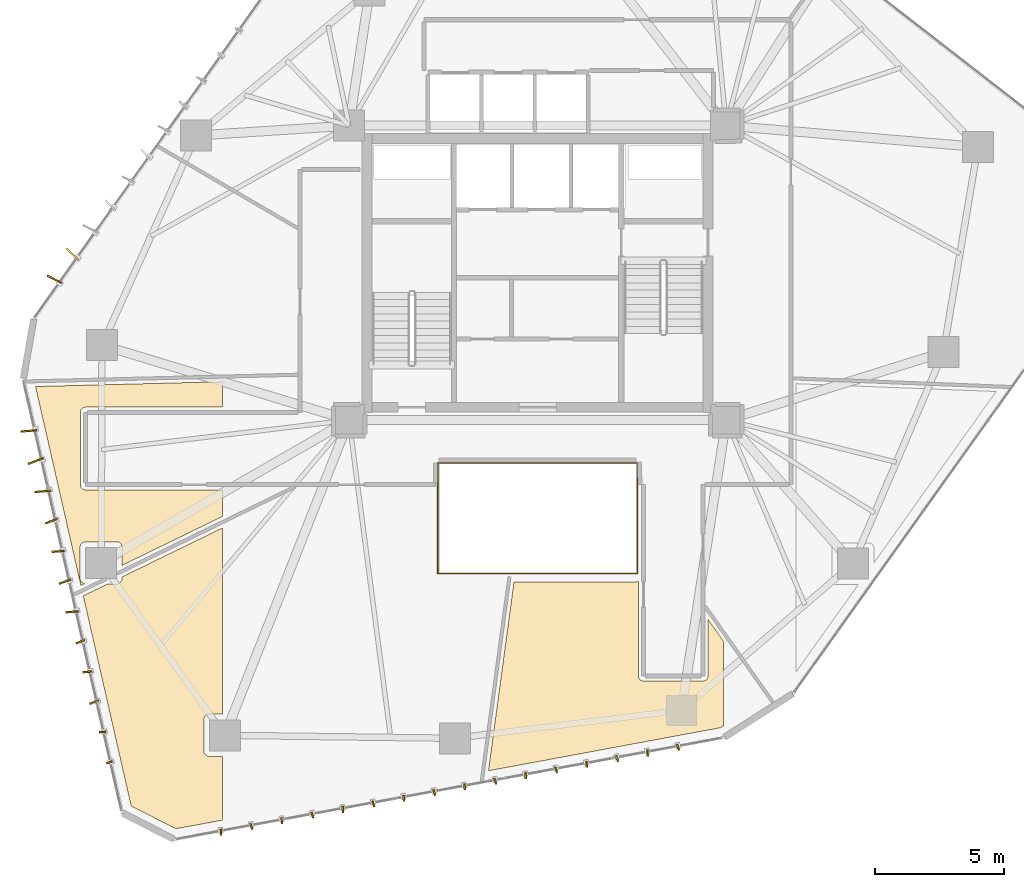
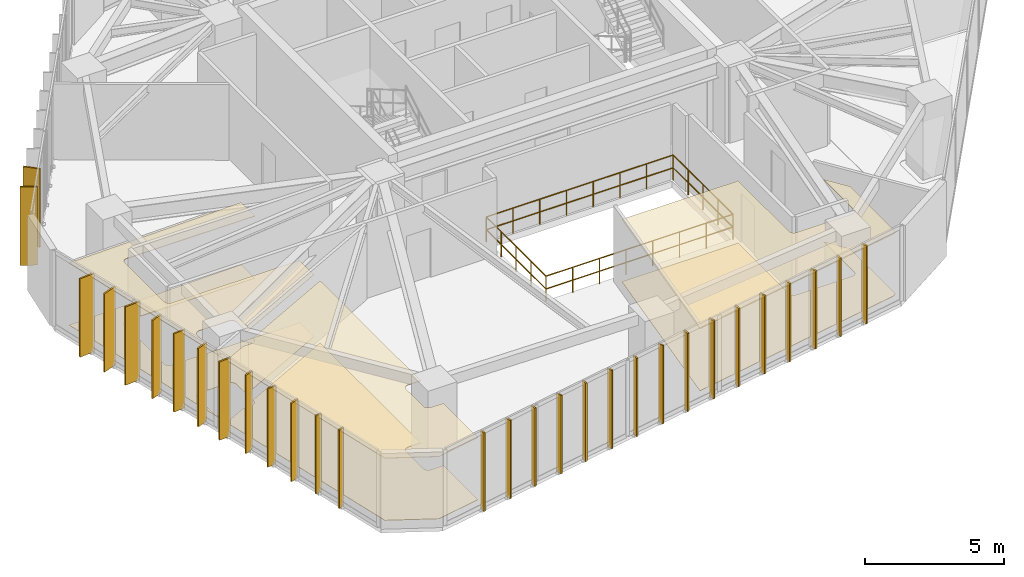
# One storey, part 20 of 22: 30 shading devices, 6 coverings, 4 railings.
"""IFC4 building model written with IfcOpenShell, lengths in metres."""

from ifc_helpers import new_model, si_unit, direction, frame, origin, origin_2d, place, context, subcontext, project, spatial, polyline, rectangle, circle, outline, extrude, source, transform, mapped, material, layer, layer_set, type_object, type_shapes, element, save


model = new_model("IFC4")

# Units and contexts
model_context = context("Model", 3, precision=1e-05, world=origin(), true_north=direction((0.0, 1.0)))
body_context = subcontext(model_context, "Body", "Model", "MODEL_VIEW")
ifc_project = project(units=[si_unit("LENGTHUNIT", "METRE"), si_unit("AREAUNIT", "SQUARE_METRE"), si_unit("VOLUMEUNIT", "CUBIC_METRE"), si_unit("PLANEANGLEUNIT", "RADIAN"), si_unit("MASSUNIT", "GRAM", prefix="KILO")], contexts=[model_context])

# Site, building, storey
site_placement = place(None, origin())
site = spatial("IfcSite", under=ifc_project, at=site_placement, CompositionType="ELEMENT")
building_placement = place(site_placement, origin())
building = spatial("IfcBuilding", under=site, at=building_placement, Name="Talar Marvaseh", CompositionType="ELEMENT")
storey_placement = place(building_placement, frame((0.0, 0.0, 121.800048828125)))
storey = spatial("IfcBuildingStorey", under=building, at=storey_placement, Name="L31", CompositionType="ELEMENT", Elevation=121.800048828125)

# Railings
ifc_material_1 = material(Name="Tempered Clear Glass", Category="glass")
railing_type = type_object("IfcRailingType", Name="Interior Atrium Edge Balustrade 1120", PredefinedType="BALUSTRADE", material=ifc_material_1)
railing_1_placement = place(storey_placement, frame((22.1298828125, 19.561279296875, 0.0)))
element("IfcRailing", 1, at=railing_1_placement, inside=storey, type_object=railing_type, Name="L31 Internal Daylight Atrium Balustrade 1", PredefinedType="BALUSTRADE", context=body_context, shape_type="SweptSolid", body=[
    extrude(circle(Radius=0.02392578125, at=origin_2d()), frame((0.0, 0.0, 1.09619140625), z_axis=(1.0, 0.0, 0.0), x_axis=(0.0, 1.0, 0.0)), (0.0, 0.0, 1.0), 7.740234375),
    extrude(circle(Radius=0.02392578125, at=origin_2d()), frame((0.0, 0.0, 0.5361328125), z_axis=(1.0, 0.0, 0.0), x_axis=(0.0, 1.0, 0.0)), (0.0, 0.0, 1.0), 7.740234375),
    extrude(circle(Radius=0.02099609375, at=origin_2d()), origin(), (0.0, 0.0, 1.0), 1.072021484375),
    extrude(circle(Radius=0.02099609375, at=origin_2d()), frame((1.105712890625, 0.0, 0.0)), (0.0, 0.0, 1.0), 1.072021484375),
    extrude(circle(Radius=0.02099609375, at=origin_2d()), frame((2.21142578125, 0.0, 0.0)), (0.0, 0.0, 1.0), 1.072021484375),
    extrude(circle(Radius=0.02099609375, at=origin_2d()), frame((3.317138671875, 0.0, 0.0)), (0.0, 0.0, 1.0), 1.072021484375),
    extrude(circle(Radius=0.02099609375, at=origin_2d()), frame((4.423095703125, 0.0, 0.0)), (0.0, 0.0, 1.0), 1.072021484375),
    extrude(circle(Radius=0.02099609375, at=origin_2d()), frame((5.52880859375, 0.0, 0.0)), (0.0, 0.0, 1.0), 1.072021484375),
    extrude(circle(Radius=0.02099609375, at=origin_2d()), frame((6.634521484375, 0.0, 0.0)), (0.0, 0.0, 1.0), 1.072021484375),
    extrude(circle(Radius=0.02099609375, at=origin_2d()), frame((7.740234375, 0.0, 0.0)), (0.0, 0.0, 1.0), 1.072021484375),
])
railing_2_placement = place(storey_placement, frame((29.8701171875, 19.561279296875, 0.0)))
element("IfcRailing", 2, at=railing_2_placement, inside=storey, type_object=railing_type, Name="L31 Internal Daylight Atrium Balustrade 2", PredefinedType="BALUSTRADE", context=body_context, shape_type="SweptSolid", body=[
    extrude(circle(Radius=0.02392578125, at=origin_2d()), frame((0.0, 0.0, 1.09619140625), z_axis=(0.0, 1.0, 0.0), x_axis=(-1.0, 0.0, 0.0)), (0.0, 0.0, 1.0), 4.27734375),
    extrude(circle(Radius=0.02392578125, at=origin_2d()), frame((0.0, 0.0, 0.5361328125), z_axis=(0.0, 1.0, 0.0), x_axis=(-1.0, 0.0, 0.0)), (0.0, 0.0, 1.0), 4.27734375),
    extrude(circle(Radius=0.02099609375, at=origin_2d()), origin(), (0.0, 0.0, 1.0), 1.072021484375),
    extrude(circle(Radius=0.02099609375, at=origin_2d()), frame((0.0, 1.0693359375, 0.0)), (0.0, 0.0, 1.0), 1.072021484375),
    extrude(circle(Radius=0.02099609375, at=origin_2d()), frame((0.0, 2.138671875, 0.0)), (0.0, 0.0, 1.0), 1.072021484375),
    extrude(circle(Radius=0.02099609375, at=origin_2d()), frame((0.0, 3.2080078125, 0.0)), (0.0, 0.0, 1.0), 1.072021484375),
    extrude(circle(Radius=0.02099609375, at=origin_2d()), frame((0.0, 4.27734375, 0.0)), (0.0, 0.0, 1.0), 1.072021484375),
])
railing_3_placement = place(storey_placement, frame((29.8701171875, 23.838623046875, 0.0)))
element("IfcRailing", 3, at=railing_3_placement, inside=storey, type_object=railing_type, Name="L31 Internal Daylight Atrium Balustrade 3", PredefinedType="BALUSTRADE", context=body_context, shape_type="SweptSolid", body=[
    extrude(circle(Radius=0.02392578125, at=origin_2d()), frame((0.0, 0.0, 1.09619140625), z_axis=(-1.0, 0.0, 0.0), x_axis=(0.0, -1.0, 0.0)), (0.0, 0.0, 1.0), 7.740234375),
    extrude(circle(Radius=0.02392578125, at=origin_2d()), frame((0.0, 0.0, 0.5361328125), z_axis=(-1.0, 0.0, 0.0), x_axis=(0.0, -1.0, 0.0)), (0.0, 0.0, 1.0), 7.740234375),
    extrude(circle(Radius=0.02099609375, at=origin_2d()), origin(), (0.0, 0.0, 1.0), 1.072021484375),
    extrude(circle(Radius=0.02099609375, at=origin_2d()), frame((-1.105712890625, 0.0, 0.0)), (0.0, 0.0, 1.0), 1.072021484375),
    extrude(circle(Radius=0.02099609375, at=origin_2d()), frame((-2.21142578125, 0.0, 0.0)), (0.0, 0.0, 1.0), 1.072021484375),
    extrude(circle(Radius=0.02099609375, at=origin_2d()), frame((-3.317138671875, 0.0, 0.0)), (0.0, 0.0, 1.0), 1.072021484375),
    extrude(circle(Radius=0.02099609375, at=origin_2d()), frame((-4.423095703125, 0.0, 0.0)), (0.0, 0.0, 1.0), 1.072021484375),
    extrude(circle(Radius=0.02099609375, at=origin_2d()), frame((-5.52880859375, 0.0, 0.0)), (0.0, 0.0, 1.0), 1.072021484375),
    extrude(circle(Radius=0.02099609375, at=origin_2d()), frame((-6.634521484375, 0.0, 0.0)), (0.0, 0.0, 1.0), 1.072021484375),
    extrude(circle(Radius=0.02099609375, at=origin_2d()), frame((-7.740234375, 0.0, 0.0)), (0.0, 0.0, 1.0), 1.072021484375),
])
railing_4_placement = place(storey_placement, frame((22.1298828125, 23.838623046875, 0.0)))
element("IfcRailing", 4, at=railing_4_placement, inside=storey, type_object=railing_type, Name="L31 Internal Daylight Atrium Balustrade 4", PredefinedType="BALUSTRADE", context=body_context, shape_type="SweptSolid", body=[
    extrude(circle(Radius=0.02392578125, at=origin_2d()), frame((0.0, 0.0, 1.09619140625), z_axis=(0.0, -1.0, 0.0), x_axis=(1.0, 0.0, 0.0)), (0.0, 0.0, 1.0), 4.27734375),
    extrude(circle(Radius=0.02392578125, at=origin_2d()), frame((0.0, 0.0, 0.5361328125), z_axis=(0.0, -1.0, 0.0), x_axis=(1.0, 0.0, 0.0)), (0.0, 0.0, 1.0), 4.27734375),
    extrude(circle(Radius=0.02099609375, at=origin_2d()), origin(), (0.0, 0.0, 1.0), 1.072021484375),
    extrude(circle(Radius=0.02099609375, at=origin_2d()), frame((0.0, -1.0693359375, 0.0)), (0.0, 0.0, 1.0), 1.072021484375),
    extrude(circle(Radius=0.02099609375, at=origin_2d()), frame((0.0, -2.138671875, 0.0)), (0.0, 0.0, 1.0), 1.072021484375),
    extrude(circle(Radius=0.02099609375, at=origin_2d()), frame((0.0, -3.2080078125, 0.0)), (0.0, 0.0, 1.0), 1.072021484375),
    extrude(circle(Radius=0.02099609375, at=origin_2d()), frame((0.0, -4.27734375, 0.0)), (0.0, 0.0, 1.0), 1.072021484375),
])

# Coverings
ifc_material_2 = material(Name="Mineral Fibre Acoustic Ceiling")
ifc_layer_1 = layer(ifc_material_2, 0.02490234375)
ifc_layer_set_1 = layer_set([ifc_layer_1], Name="Mineral Fibre Acoustic Ceiling")
covering_type_1 = type_object("IfcCoveringType", Name="Perforated Mineral Fibre Acoustic Suspended Ceiling", PredefinedType="CEILING", material=ifc_layer_set_1)
covering_1_placement = place(storey_placement, frame((0.0, 0.0, 2.719970703125)))
element("IfcCovering", 5, at=covering_1_placement, inside=storey, type_object=covering_type_1, Name="L31 Accessible WC Block Acoustic Ceiling", PredefinedType="CEILING", context=body_context, shape_type="SweptSolid", body=[
    extrude(outline(polyline([(6.561279296875, 26.8017578125), (13.800048828125, 26.9873046875), (13.800048828125, 26.0), (8.5, 26.0), (8.48046875, 25.9990234375), (8.4609375, 25.99609375), (8.44189453125, 25.991455078125), (8.423583984375, 25.98486328125), (8.40576171875, 25.976318359375), (8.388916015625, 25.96630859375), (8.373046875, 25.95458984375), (8.358642578125, 25.94140625), (8.345458984375, 25.927001953125), (8.333740234375, 25.9111328125), (8.323486328125, 25.894287109375), (8.315185546875, 25.87646484375), (8.30859375, 25.858154296875), (8.3037109375, 25.839111328125), (8.301025390625, 25.819580078125), (8.300048828125, 25.800048828125), (8.300048828125, 23.0), (8.301025390625, 22.98046875), (8.3037109375, 22.9609375), (8.30859375, 22.94189453125), (8.315185546875, 22.923583984375), (8.323486328125, 22.90576171875), (8.333740234375, 22.888916015625), (8.345458984375, 22.873046875), (8.358642578125, 22.858642578125), (8.373046875, 22.845458984375), (8.388916015625, 22.833740234375), (8.40576171875, 22.823486328125), (8.423583984375, 22.815185546875), (8.44189453125, 22.80859375), (8.4609375, 22.8037109375), (8.48046875, 22.801025390625), (8.5, 22.800048828125), (13.800048828125, 22.800048828125), (13.800048828125, 21.772216796875), (9.916015625, 19.8779296875), (9.916015625, 20.576904296875), (9.915283203125, 20.5947265625), (9.912841796875, 20.6123046875), (9.908935546875, 20.62939453125), (9.903564453125, 20.646484375), (9.896728515625, 20.66259765625), (9.89111328125, 20.67431640625), (9.881591796875, 20.6923828125), (9.8701171875, 20.709228515625), (9.856689453125, 20.724853515625), (9.842041015625, 20.7392578125), (9.825927734375, 20.751953125), (9.80859375, 20.7626953125), (9.790283203125, 20.77197265625), (9.771240234375, 20.779296875), (9.75146484375, 20.784423828125), (9.731201171875, 20.78759765625), (9.710693359375, 20.78857421875), (8.494140625, 20.790283203125), (8.475341796875, 20.789306640625), (8.456787109375, 20.78662109375), (8.438720703125, 20.782470703125), (8.4208984375, 20.7763671875), (8.40380859375, 20.768798828125), (8.38720703125, 20.759521484375), (8.371826171875, 20.748779296875), (8.357666015625, 20.736572265625), (8.344482421875, 20.72314453125), (8.332763671875, 20.70849609375), (8.322265625, 20.69287109375), (8.314453125, 20.6796875), (8.305908203125, 20.663818359375), (8.298583984375, 20.647216796875), (8.293212890625, 20.630126953125), (8.289306640625, 20.612548828125), (8.286865234375, 20.594482421875), (8.285888671875, 20.57666015625), (8.28857421875, 19.368408203125), (8.28955078125, 19.3486328125), (8.29248046875, 19.329345703125), (8.297119140625, 19.310302734375), (8.3037109375, 19.2919921875), (8.312255859375, 19.2744140625), (8.322265625, 19.257568359375), (8.333984375, 19.24169921875), (8.346923828125, 19.227294921875), (8.361572265625, 19.214111328125), (8.377197265625, 19.202392578125), (8.39404296875, 19.1923828125), (8.406494140625, 19.185791015625), (8.42431640625, 19.17724609375), (8.44287109375, 19.170654296875), (8.458251953125, 19.166748046875), (8.31787109375, 19.098388671875), (6.561279296875, 26.8017578125)])), origin(), (0.0, 0.0, 1.0), 0.02490234375),
])
covering_2_placement = place(storey_placement, frame((0.0, 0.0, 2.719970703125)))
element("IfcCovering", 6, at=covering_2_placement, inside=storey, type_object=covering_type_1, Name="L31 Curatorial Office Acoustic Ceiling", PredefinedType="CEILING", context=body_context, shape_type="SweptSolid", body=[
    extrude(outline(polyline([(9.361083984375, 19.162109375), (9.708984375, 19.163818359375), (9.7294921875, 19.164794921875), (9.749755859375, 19.168212890625), (9.76953125, 19.173583984375), (9.788818359375, 19.180908203125), (9.80712890625, 19.18994140625), (9.824462890625, 19.201171875), (9.840576171875, 19.2138671875), (9.855224609375, 19.228271484375), (9.868408203125, 19.243896484375), (9.879638671875, 19.260986328125), (9.8876953125, 19.2744140625), (9.897705078125, 19.29345703125), (9.905517578125, 19.3134765625), (9.911376953125, 19.334228515625), (9.914794921875, 19.35546875), (9.916015625, 19.376953125), (9.916015625, 19.432861328125), (13.800048828125, 21.3271484375), (13.800048828125, 14.11376953125), (13.291015625, 14.114013671875), (13.2734375, 14.11328125), (13.255859375, 14.11083984375), (13.238525390625, 14.10693359375), (13.2216796875, 14.1015625), (13.205322265625, 14.0947265625), (13.193603515625, 14.089111328125), (13.17578125, 14.07958984375), (13.15869140625, 14.068115234375), (13.14306640625, 14.054931640625), (13.12890625, 14.040283203125), (13.1162109375, 14.024169921875), (13.105224609375, 14.0068359375), (13.09619140625, 13.988525390625), (13.0888671875, 13.96923828125), (13.083740234375, 13.949462890625), (13.08056640625, 13.92919921875), (13.079345703125, 13.908935546875), (13.0771484375, 12.693603515625), (13.077880859375, 12.674072265625), (13.080810546875, 12.654541015625), (13.085693359375, 12.635498046875), (13.09228515625, 12.616943359375), (13.1005859375, 12.59912109375), (13.110595703125, 12.58251953125), (13.122314453125, 12.566650390625), (13.135498046875, 12.552001953125), (13.150146484375, 12.538818359375), (13.166015625, 12.527099609375), (13.1796875, 12.517822265625), (13.196533203125, 12.5078125), (13.21435546875, 12.499267578125), (13.23291015625, 12.49267578125), (13.251953125, 12.48779296875), (13.271484375, 12.485107421875), (13.291015625, 12.48388671875), (13.800048828125, 12.48388671875), (13.800048828125, 10.014892578125), (11.993408203125, 9.6796875), (10.26416015625, 10.563720703125), (8.4091796875, 18.697998046875), (9.361083984375, 19.162109375)])), origin(), (0.0, 0.0, 1.0), 0.02490234375),
])
covering_3_placement = place(storey_placement, frame((0.0, 0.0, 2.719970703125)))
element("IfcCovering", 7, at=covering_3_placement, inside=storey, type_object=covering_type_1, Name="L31 Museum Publication Bookshop Acoustic Ceiling", PredefinedType="CEILING", context=body_context, shape_type="SweptSolid", body=[
    extrude(outline(polyline([(29.800048828125, 19.239990234375), (29.81640625, 19.24072265625), (29.83251953125, 19.24267578125), (29.8486328125, 19.24609375), (29.89990234375, 19.2587890625), (29.89990234375, 15.60009765625), (29.90087890625, 15.580322265625), (29.90380859375, 15.56103515625), (29.90869140625, 15.5419921875), (29.915283203125, 15.5234375), (29.923583984375, 15.505615234375), (29.93359375, 15.489013671875), (29.9453125, 15.47314453125), (29.95849609375, 15.45849609375), (29.97314453125, 15.4453125), (29.989013671875, 15.43359375), (30.005615234375, 15.423583984375), (30.0234375, 15.415283203125), (30.0419921875, 15.40869140625), (30.06103515625, 15.40380859375), (30.080322265625, 15.40087890625), (30.10009765625, 15.39990234375), (32.39990234375, 15.39990234375), (32.419677734375, 15.40087890625), (32.43896484375, 15.40380859375), (32.4580078125, 15.40869140625), (32.4765625, 15.415283203125), (32.494384765625, 15.423583984375), (32.510986328125, 15.43359375), (32.52685546875, 15.4453125), (32.54150390625, 15.45849609375), (32.5546875, 15.47314453125), (32.56640625, 15.489013671875), (32.576416015625, 15.505615234375), (32.584716796875, 15.5234375), (32.59130859375, 15.5419921875), (32.59619140625, 15.56103515625), (32.59912109375, 15.580322265625), (32.60009765625, 15.60009765625), (32.60009765625, 17.78271484375), (33.199951171875, 16.930908203125), (33.199951171875, 13.672607421875), (33.069580078125, 13.589599609375), (24.09619140625, 11.9248046875), (25.085205078125, 19.239990234375), (29.800048828125, 19.239990234375)])), origin(), (0.0, 0.0, 1.0), 0.02490234375),
])
ifc_material_3 = material(Name="Porcelain Stoneware Tile", Category="masonry")
ifc_layer_2 = layer(ifc_material_3, 0.02001953125)
ifc_layer_set_2 = layer_set([ifc_layer_2], Name="Porcelain Stoneware Tile")
covering_type_2 = type_object("IfcCoveringType", Name="Polished Porcelain Stoneware Gallery Flooring", PredefinedType="FLOORING", material=ifc_layer_set_2)
covering_4_placement = place(storey_placement, origin())
element("IfcCovering", 8, at=covering_4_placement, inside=storey, type_object=covering_type_2, Name="L31 Accessible WC Block Flooring", PredefinedType="FLOORING", context=body_context, shape_type="SweptSolid", body=[
    extrude(outline(polyline([(6.561279296875, 26.8017578125), (13.800048828125, 26.9873046875), (13.800048828125, 26.0), (8.5, 26.0), (8.48046875, 25.9990234375), (8.4609375, 25.99609375), (8.44189453125, 25.991455078125), (8.423583984375, 25.98486328125), (8.40576171875, 25.976318359375), (8.388916015625, 25.96630859375), (8.373046875, 25.95458984375), (8.358642578125, 25.94140625), (8.345458984375, 25.927001953125), (8.333740234375, 25.9111328125), (8.323486328125, 25.894287109375), (8.315185546875, 25.87646484375), (8.30859375, 25.858154296875), (8.3037109375, 25.839111328125), (8.301025390625, 25.819580078125), (8.300048828125, 25.800048828125), (8.300048828125, 23.0), (8.301025390625, 22.98046875), (8.3037109375, 22.9609375), (8.30859375, 22.94189453125), (8.315185546875, 22.923583984375), (8.323486328125, 22.90576171875), (8.333740234375, 22.888916015625), (8.345458984375, 22.873046875), (8.358642578125, 22.858642578125), (8.373046875, 22.845458984375), (8.388916015625, 22.833740234375), (8.40576171875, 22.823486328125), (8.423583984375, 22.815185546875), (8.44189453125, 22.80859375), (8.4609375, 22.8037109375), (8.48046875, 22.801025390625), (8.5, 22.800048828125), (13.800048828125, 22.800048828125), (13.800048828125, 21.772216796875), (9.916015625, 19.8779296875), (9.916015625, 20.576904296875), (9.915283203125, 20.5947265625), (9.912841796875, 20.6123046875), (9.908935546875, 20.62939453125), (9.903564453125, 20.646484375), (9.896728515625, 20.66259765625), (9.89111328125, 20.67431640625), (9.881591796875, 20.6923828125), (9.8701171875, 20.709228515625), (9.856689453125, 20.724853515625), (9.842041015625, 20.7392578125), (9.825927734375, 20.751953125), (9.80859375, 20.7626953125), (9.790283203125, 20.77197265625), (9.771240234375, 20.779296875), (9.75146484375, 20.784423828125), (9.731201171875, 20.78759765625), (9.710693359375, 20.78857421875), (8.494140625, 20.790283203125), (8.475341796875, 20.789306640625), (8.456787109375, 20.78662109375), (8.438720703125, 20.782470703125), (8.4208984375, 20.7763671875), (8.40380859375, 20.768798828125), (8.38720703125, 20.759521484375), (8.371826171875, 20.748779296875), (8.357666015625, 20.736572265625), (8.344482421875, 20.72314453125), (8.332763671875, 20.70849609375), (8.322265625, 20.69287109375), (8.314453125, 20.6796875), (8.305908203125, 20.663818359375), (8.298583984375, 20.647216796875), (8.293212890625, 20.630126953125), (8.289306640625, 20.612548828125), (8.286865234375, 20.594482421875), (8.285888671875, 20.57666015625), (8.28857421875, 19.368408203125), (8.28955078125, 19.3486328125), (8.29248046875, 19.329345703125), (8.297119140625, 19.310302734375), (8.3037109375, 19.2919921875), (8.312255859375, 19.2744140625), (8.322265625, 19.257568359375), (8.333984375, 19.24169921875), (8.346923828125, 19.227294921875), (8.361572265625, 19.214111328125), (8.377197265625, 19.202392578125), (8.39404296875, 19.1923828125), (8.406494140625, 19.185791015625), (8.42431640625, 19.17724609375), (8.44287109375, 19.170654296875), (8.458251953125, 19.166748046875), (8.31787109375, 19.098388671875), (6.561279296875, 26.8017578125)])), origin(), (0.0, 0.0, 1.0), 0.02001953125),
])
covering_5_placement = place(storey_placement, origin())
element("IfcCovering", 9, at=covering_5_placement, inside=storey, type_object=covering_type_2, Name="L31 Curatorial Office Flooring", PredefinedType="FLOORING", context=body_context, shape_type="SweptSolid", body=[
    extrude(outline(polyline([(9.361083984375, 19.162109375), (9.708984375, 19.163818359375), (9.7294921875, 19.164794921875), (9.749755859375, 19.168212890625), (9.76953125, 19.173583984375), (9.788818359375, 19.180908203125), (9.80712890625, 19.18994140625), (9.824462890625, 19.201171875), (9.840576171875, 19.2138671875), (9.855224609375, 19.228271484375), (9.868408203125, 19.243896484375), (9.879638671875, 19.260986328125), (9.8876953125, 19.2744140625), (9.897705078125, 19.29345703125), (9.905517578125, 19.3134765625), (9.911376953125, 19.334228515625), (9.914794921875, 19.35546875), (9.916015625, 19.376953125), (9.916015625, 19.432861328125), (13.800048828125, 21.3271484375), (13.800048828125, 14.11376953125), (13.291015625, 14.114013671875), (13.2734375, 14.11328125), (13.255859375, 14.11083984375), (13.238525390625, 14.10693359375), (13.2216796875, 14.1015625), (13.205322265625, 14.0947265625), (13.193603515625, 14.089111328125), (13.17578125, 14.07958984375), (13.15869140625, 14.068115234375), (13.14306640625, 14.054931640625), (13.12890625, 14.040283203125), (13.1162109375, 14.024169921875), (13.105224609375, 14.0068359375), (13.09619140625, 13.988525390625), (13.0888671875, 13.96923828125), (13.083740234375, 13.949462890625), (13.08056640625, 13.92919921875), (13.079345703125, 13.908935546875), (13.0771484375, 12.693603515625), (13.077880859375, 12.674072265625), (13.080810546875, 12.654541015625), (13.085693359375, 12.635498046875), (13.09228515625, 12.616943359375), (13.1005859375, 12.59912109375), (13.110595703125, 12.58251953125), (13.122314453125, 12.566650390625), (13.135498046875, 12.552001953125), (13.150146484375, 12.538818359375), (13.166015625, 12.527099609375), (13.1796875, 12.517822265625), (13.196533203125, 12.5078125), (13.21435546875, 12.499267578125), (13.23291015625, 12.49267578125), (13.251953125, 12.48779296875), (13.271484375, 12.485107421875), (13.291015625, 12.48388671875), (13.800048828125, 12.48388671875), (13.800048828125, 10.014892578125), (11.993408203125, 9.6796875), (10.26416015625, 10.563720703125), (8.4091796875, 18.697998046875), (9.361083984375, 19.162109375)])), origin(), (0.0, 0.0, 1.0), 0.02001953125),
])
covering_6_placement = place(storey_placement, origin())
element("IfcCovering", 10, at=covering_6_placement, inside=storey, type_object=covering_type_2, Name="L31 Museum Publication Bookshop Flooring", PredefinedType="FLOORING", context=body_context, shape_type="SweptSolid", body=[
    extrude(outline(polyline([(29.800048828125, 19.239990234375), (29.81640625, 19.24072265625), (29.83251953125, 19.24267578125), (29.8486328125, 19.24609375), (29.89990234375, 19.2587890625), (29.89990234375, 15.60009765625), (29.90087890625, 15.580322265625), (29.90380859375, 15.56103515625), (29.90869140625, 15.5419921875), (29.915283203125, 15.5234375), (29.923583984375, 15.505615234375), (29.93359375, 15.489013671875), (29.9453125, 15.47314453125), (29.95849609375, 15.45849609375), (29.97314453125, 15.4453125), (29.989013671875, 15.43359375), (30.005615234375, 15.423583984375), (30.0234375, 15.415283203125), (30.0419921875, 15.40869140625), (30.06103515625, 15.40380859375), (30.080322265625, 15.40087890625), (30.10009765625, 15.39990234375), (32.39990234375, 15.39990234375), (32.419677734375, 15.40087890625), (32.43896484375, 15.40380859375), (32.4580078125, 15.40869140625), (32.4765625, 15.415283203125), (32.494384765625, 15.423583984375), (32.510986328125, 15.43359375), (32.52685546875, 15.4453125), (32.54150390625, 15.45849609375), (32.5546875, 15.47314453125), (32.56640625, 15.489013671875), (32.576416015625, 15.505615234375), (32.584716796875, 15.5234375), (32.59130859375, 15.5419921875), (32.59619140625, 15.56103515625), (32.59912109375, 15.580322265625), (32.60009765625, 15.60009765625), (32.60009765625, 17.78271484375), (33.199951171875, 16.930908203125), (33.199951171875, 13.672607421875), (33.069580078125, 13.589599609375), (24.09619140625, 11.9248046875), (25.085205078125, 19.239990234375), (29.800048828125, 19.239990234375)])), origin(), (0.0, 0.0, 1.0), 0.02001953125),
])

# Shading devices
ifc_material_4 = material(Name="Anodised Champagne Bronze Aluminium", Category="aluminium")
ifc_layer_3 = layer(ifc_material_4, 0.06494140625)
ifc_layer_set_3 = layer_set([ifc_layer_3], Name="Anodised Champagne Bronze Aluminium")
shading_device_type_1 = type_object("IfcShadingDeviceType", Name="Sawtooth Champagne Bronze Vertical Fin 240", PredefinedType="USERDEFINED", material=ifc_layer_set_3)
shared_shape_1 = source(origin(), body_context, "Body", "SweptSolid", [
    extrude(rectangle(XDim=0.239990234375, YDim=0.06494140625, at=origin_2d()), origin(), (0.0, 0.0, 1.0), 3.429931640625),
])
type_shapes(shading_device_type_1, [shared_shape_1])
for number, where, z_axis, x_axis, name in (
    (11, (9.421875, 12.255859375, -0.1201171875), (0.0, 0.0, 1.0), (-0.934515431196, -0.355922616389, 0.0), "L31 Sawtooth Vertical Solar Fin"),
    (12, (9.155029296875, 13.42578125, -0.1201171875), (0.0, 0.0, 1.0), (-0.996419457129, -0.084547415428, 0.0), "L31 Sawtooth Vertical Solar Fin"),
    (13, (31.4375, 12.833984375, -0.1201171875), (0.0, 0.0, 1.0), (0.317470165273, -0.948268260653, 0.0), "L31 Sawtooth Vertical Solar Fin"),
    (14, (30.257568359375, 12.615234375, -0.1201171875), (0.0, 0.0, 1.0), (0.043793753509, -0.999040593346, 0.0), "L31 Sawtooth Vertical Solar Fin"),
    (15, (29.07763671875, 12.396240234375, -0.1201171875), (0.0, 0.0, 1.0), (0.317470165273, -0.948268260653, 0.0), "L31 Sawtooth Vertical Solar Fin"),
    (16, (27.897705078125, 12.177490234375, -0.1201171875), (0.0, 0.0, 1.0), (0.043793753509, -0.999040593346, 0.0), "L31 Sawtooth Vertical Solar Fin"),
    (17, (26.718017578125, 11.95849609375, -0.1201171875), (0.0, 0.0, 1.0), (0.317470165273, -0.948268260653, 0.0), "L31 Sawtooth Vertical Solar Fin"),
    (18, (25.5380859375, 11.73974609375, -0.1201171875), (0.0, 0.0, 1.0), (0.043793753509, -0.999040593346, 0.0), "L31 Sawtooth Vertical Solar Fin"),
    (19, (24.358154296875, 11.52099609375, -0.1201171875), (0.0, 0.0, 1.0), (0.317470165273, -0.948268260653, 0.0), "L31 Sawtooth Vertical Solar Fin"),
    (20, (23.17822265625, 11.302001953125, -0.1201171875), (0.0, 0.0, 1.0), (0.043793753509, -0.999040593346, 0.0), "L31 Sawtooth Vertical Solar Fin"),
    (21, (21.998291015625, 11.0830078125, -0.1201171875), (0.0, 0.0, 1.0), (0.317470165273, -0.948268260653, 0.0), "L31 Sawtooth Vertical Solar Fin"),
    (22, (20.818603515625, 10.8642578125, -0.1201171875), (0.0, 0.0, 1.0), (0.043793753509, -0.999040593346, 0.0), "L31 Sawtooth Vertical Solar Fin"),
    (23, (19.638671875, 10.6455078125, -0.1201171875), (0.0, 0.0, 1.0), (0.317470165273, -0.948268260653, 0.0), "L31 Sawtooth Vertical Solar Fin"),
    (24, (18.458740234375, 10.426513671875, -0.1201171875), (0.0, 0.0, 1.0), (0.043793753509, -0.999040593346, 0.0), "L31 Sawtooth Vertical Solar Fin"),
    (25, (17.27880859375, 10.207763671875, -0.1201171875), (0.0, 0.0, 1.0), (0.317470165273, -0.948268260653, 0.0), "L31 Sawtooth Vertical Solar Fin"),
    (26, (16.09912109375, 9.98876953125, -0.1201171875), (0.0, 0.0, 1.0), (0.043793753509, -0.999040593346, 0.0), "L31 Sawtooth Vertical Solar Fin"),
    (27, (14.919189453125, 9.77001953125, -0.1201171875), (0.0, 0.0, 1.0), (0.317470165273, -0.948268260653, 0.0), "L31 Sawtooth Vertical Solar Fin"),
    (28, (13.7392578125, 9.551025390625, -0.1201171875), (0.0, 0.0, 1.0), (0.043793753509, -0.999040593346, 0.0), "L31 Sawtooth Vertical Solar Fin"),
):
    element("IfcShadingDevice", number, at=place(storey_placement, frame(where, z_axis=z_axis, x_axis=x_axis)), inside=storey, type_object=shading_device_type_1, Name=name, ObjectType="FIN", PredefinedType="USERDEFINED", context=body_context, shape_type="MappedRepresentation", body=[
        mapped(shared_shape_1, transform((0.0, 0.0, 0.0), x_axis=(1.0, 0.0, 0.0), y_axis=(0.0, 1.0, 0.0), z_axis=(0.0, 0.0, 1.0), scale=1.0)),
    ])
ifc_layer_4 = layer(ifc_material_4, 0.06494140625)
ifc_layer_set_4 = layer_set([ifc_layer_4], Name="Anodised Champagne Bronze Aluminium")
shading_device_type_2 = type_object("IfcShadingDeviceType", Name="Sawtooth Champagne Bronze Vertical Fin 360", PredefinedType="USERDEFINED", material=ifc_layer_set_4)
shared_shape_2 = source(origin(), body_context, "Body", "SweptSolid", [
    extrude(rectangle(XDim=0.360107421875, YDim=0.06494140625, at=origin_2d()), origin(), (0.0, 0.0, 1.0), 3.429931640625),
])
type_shapes(shading_device_type_2, [shared_shape_2])
for number, where, z_axis, x_axis, name in (
    (29, (8.829833984375, 14.58251953125, -0.1201171875), (0.0, 0.0, 1.0), (-0.934515431196, -0.355922616389, 0.0), "L31 Sawtooth Vertical Solar Fin"),
    (30, (8.56298828125, 15.75244140625, -0.1201171875), (0.0, 0.0, 1.0), (-0.996419457129, -0.084547415428, 0.0), "L31 Sawtooth Vertical Solar Fin"),
    (31, (8.296142578125, 16.92236328125, -0.1201171875), (0.0, 0.0, 1.0), (-0.934515431196, -0.355922616389, 0.0), "L31 Sawtooth Vertical Solar Fin"),
):
    element("IfcShadingDevice", number, at=place(storey_placement, frame(where, z_axis=z_axis, x_axis=x_axis)), inside=storey, type_object=shading_device_type_2, Name=name, ObjectType="FIN", PredefinedType="USERDEFINED", context=body_context, shape_type="MappedRepresentation", body=[
        mapped(shared_shape_2, transform((0.0, 0.0, 0.0), x_axis=(1.0, 0.0, 0.0), y_axis=(0.0, 1.0, 0.0), z_axis=(0.0, 0.0, 1.0), scale=1.0)),
    ])
ifc_layer_5 = layer(ifc_material_4, 0.06494140625)
ifc_layer_set_5 = layer_set([ifc_layer_5], Name="Anodised Champagne Bronze Aluminium")
shading_device_type_3 = type_object("IfcShadingDeviceType", Name="Sawtooth Champagne Bronze Vertical Fin 480", PredefinedType="USERDEFINED", material=ifc_layer_set_5)
shared_shape_3 = source(origin(), body_context, "Body", "SweptSolid", [
    extrude(rectangle(XDim=0.47998046875, YDim=0.06494140625, at=origin_2d()), origin(), (0.0, 0.0, 1.0), 3.429931640625),
])
type_shapes(shading_device_type_3, [shared_shape_3])
for number, where, z_axis, x_axis, name in (
    (32, (7.970947265625, 18.078857421875, -0.1201171875), (0.0, 0.0, 1.0), (-0.996419457129, -0.084547415428, 0.0), "L31 Sawtooth Vertical Solar Fin"),
    (33, (7.7041015625, 19.248779296875, -0.1201171875), (0.0, 0.0, 1.0), (-0.934515431196, -0.355922616389, 0.0), "L31 Sawtooth Vertical Solar Fin"),
    (34, (7.437255859375, 20.4189453125, -0.1201171875), (0.0, 0.0, 1.0), (-0.996419457129, -0.084547415428, 0.0), "L31 Sawtooth Vertical Solar Fin"),
    (35, (7.17041015625, 21.5888671875, -0.1201171875), (0.0, 0.0, 1.0), (-0.934515431196, -0.355922616389, 0.0), "L31 Sawtooth Vertical Solar Fin"),
):
    element("IfcShadingDevice", number, at=place(storey_placement, frame(where, z_axis=z_axis, x_axis=x_axis)), inside=storey, type_object=shading_device_type_3, Name=name, ObjectType="FIN", PredefinedType="USERDEFINED", context=body_context, shape_type="MappedRepresentation", body=[
        mapped(shared_shape_3, transform((0.0, 0.0, 0.0), x_axis=(1.0, 0.0, 0.0), y_axis=(0.0, 1.0, 0.0), z_axis=(0.0, 0.0, 1.0), scale=1.0)),
    ])
ifc_layer_6 = layer(ifc_material_4, 0.06494140625)
ifc_layer_set_6 = layer_set([ifc_layer_6], Name="Anodised Champagne Bronze Aluminium")
shading_device_type_4 = type_object("IfcShadingDeviceType", Name="Sawtooth Champagne Bronze Vertical Fin 620", PredefinedType="USERDEFINED", material=ifc_layer_set_6)
shared_shape_4 = source(origin(), body_context, "Body", "SweptSolid", [
    extrude(rectangle(XDim=0.6201171875, YDim=0.06494140625, at=origin_2d()), origin(), (0.0, 0.0, 1.0), 3.429931640625),
])
type_shapes(shading_device_type_4, [shared_shape_4])
for number, where, z_axis, x_axis, name in (
    (36, (6.83544921875, 22.7431640625, -0.1201171875), (0.0, 0.0, 1.0), (-0.996419457129, -0.084547415428, 0.0), "L31 Sawtooth Vertical Solar Fin"),
    (37, (6.568603515625, 23.9130859375, -0.1201171875), (0.0, 0.0, 1.0), (-0.934515431196, -0.355922616389, 0.0), "L31 Sawtooth Vertical Solar Fin"),
    (38, (6.3017578125, 25.083251953125, -0.1201171875), (0.0, 0.0, 1.0), (-0.996419457129, -0.084547415428, 0.0), "L31 Sawtooth Vertical Solar Fin"),
    (39, (7.289306640625, 30.952880859375, -0.1201171875), (0.0, 0.0, 1.0), (-0.887574303404, 0.460664580728, 0.0), "L31 Sawtooth Vertical Solar Fin"),
    (40, (7.985107421875, 31.9306640625, -0.1201171875), (0.0, 0.0, 1.0), (-0.726214813211, 0.687467850211, 0.0), "L31 Sawtooth Vertical Solar Fin"),
):
    element("IfcShadingDevice", number, at=place(storey_placement, frame(where, z_axis=z_axis, x_axis=x_axis)), inside=storey, type_object=shading_device_type_4, Name=name, ObjectType="FIN", PredefinedType="USERDEFINED", context=body_context, shape_type="MappedRepresentation", body=[
        mapped(shared_shape_4, transform((0.0, 0.0, 0.0), x_axis=(1.0, 0.0, 0.0), y_axis=(0.0, 1.0, 0.0), z_axis=(0.0, 0.0, 1.0), scale=1.0)),
    ])

save(model, "model.ifc")
